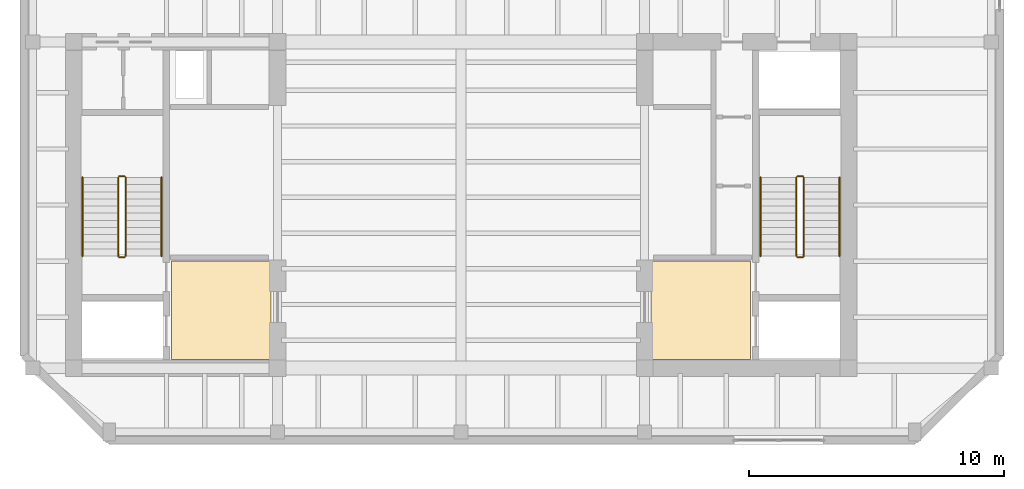
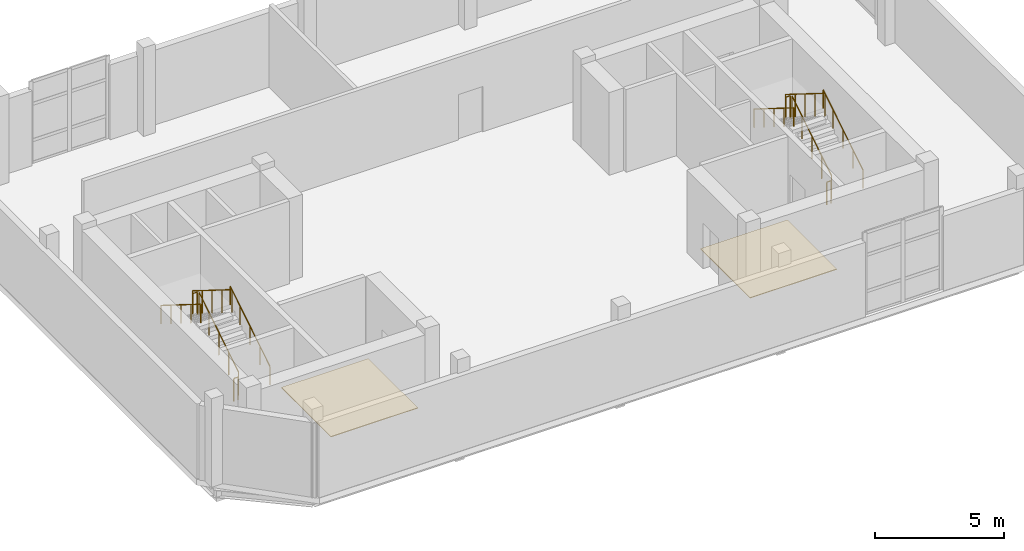
# One storey, part 7 of 7: 12 railings, 2 coverings.
"""IFC4 building model written with IfcOpenShell, lengths in metres."""

import ifcopenshell
import ifcopenshell.guid

model = None  # the IFC model being written
_history = None  # IfcOwnerHistory: only IFC2X3 demands one
_inside = {}  # id of a spatial element -> (the spatial element, [elements in it])
_under = {}  # id of a project, library or spatial element -> (it, [spatial elements below it])
_declared = {}  # id of a project -> (the project, [libraries it declares])
_typed = {}  # id of a type object -> (the type object, [elements of that type])
_made_of = {}  # id of a material, layer set ... -> (it, [elements and type objects made of it])


def new_model(schema):
    """Start an empty IFC model of exactly this schema.

    Asked for "IFC4X3", IfcOpenShell would pick the latest addendum, in which some entities
    have other attributes; the version numbers below select the first issue.
    IFC2X3 requires an IfcOwnerHistory on every rooted entity: one is made here for all.
    """
    global model, _history
    if schema == "IFC4X3":
        model = ifcopenshell.file(schema_version=(4, 3, 0, 0))
    else:
        model = ifcopenshell.file(schema=schema)
    _inside.clear()
    _under.clear()
    _declared.clear()
    _typed.clear()
    _made_of.clear()
    _history = None
    if model.schema == "IFC2X3":
        org = make("IfcOrganization", Name="unknown")
        user = make(
            "IfcPersonAndOrganization",
            ThePerson=make("IfcPerson", FamilyName="unknown"),
            TheOrganization=org,
        )
        app = make(
            "IfcApplication",
            ApplicationDeveloper=org,
            Version="unknown",
            ApplicationFullName="unknown",
            ApplicationIdentifier="unknown",
        )
        _history = make(
            "IfcOwnerHistory",
            OwningUser=user,
            OwningApplication=app,
            ChangeAction="ADDED",
            CreationDate=0,
        )
    return model


def make(cls, **values):
    """One entity of the class cls with the attributes given. An attribute that is None is left unset."""
    return model.create_entity(
        cls, **{name: value for name, value in values.items() if value is not None}
    )


def rooted(cls, **values):
    """An entity with a GlobalId (a new one), such as an element, a storey or a relation."""
    return make(cls, GlobalId=ifcopenshell.guid.new(), OwnerHistory=_history, **values)


def si_unit(unit_type, name, prefix=None):
    """IfcSIUnit, for example si_unit("LENGTHUNIT", "METRE", prefix="MILLI")."""
    return make("IfcSIUnit", UnitType=unit_type, Prefix=prefix, Name=name)


def assignment(units):
    """IfcUnitAssignment: the units of a project."""
    return None if units is None else make("IfcUnitAssignment", Units=units)


def point(xyz):
    """IfcCartesianPoint."""
    return None if xyz is None else make("IfcCartesianPoint", Coordinates=xyz)


def direction(xyz):
    """IfcDirection."""
    return None if xyz is None else make("IfcDirection", DirectionRatios=xyz)


def frame(location, z_axis=None, x_axis=None):
    """IfcAxis2Placement3D, a coordinate frame: its origin and axes. An axis left out is left unset."""
    return make(
        "IfcAxis2Placement3D",
        Location=point(location),
        Axis=direction(z_axis),
        RefDirection=direction(x_axis),
    )


def frame_2d(location, x_axis=None):
    """IfcAxis2Placement2D, a coordinate frame in the plane: its origin and x axis."""
    return make(
        "IfcAxis2Placement2D", Location=point(location), RefDirection=direction(x_axis)
    )


def origin():
    """The frame at (0, 0, 0) with its axes left unset."""
    return frame((0.0, 0.0, 0.0))


def origin_2d():
    """The frame at (0, 0) in the plane with its x axis left unset."""
    return frame_2d((0.0, 0.0))


def place(relative_to, where):
    """IfcLocalPlacement: puts the frame where relative to a parent placement (None: the world)."""
    return make(
        "IfcLocalPlacement", PlacementRelTo=relative_to, RelativePlacement=where
    )


def context(
    kind, dimensions, precision=None, world=None, true_north=None, identifier=None
):
    """IfcGeometricRepresentationContext, for example the 3D "Model" context."""
    return make(
        "IfcGeometricRepresentationContext",
        ContextIdentifier=identifier,
        ContextType=kind,
        CoordinateSpaceDimension=dimensions,
        Precision=precision,
        WorldCoordinateSystem=world,
        TrueNorth=true_north,
    )


def subcontext(parent, identifier, kind, view, scale=None):
    """IfcGeometricRepresentationSubContext, for example "Body" below "Model"."""
    return make(
        "IfcGeometricRepresentationSubContext",
        ContextIdentifier=identifier,
        ContextType=kind,
        ParentContext=parent,
        TargetScale=scale,
        TargetView=view,
    )


def project(units=None, contexts=None):
    """IfcProject with its units and contexts."""
    return rooted(
        "IfcProject",
        Name="project",
        RepresentationContexts=contexts,
        UnitsInContext=assignment(units),
    )


def spatial(cls, under=None, at=None, **own):
    """A site, building, storey or space (cls), placed at a placement, below another one or the project."""
    s = rooted(cls, ObjectPlacement=at, **own)
    if under is not None:
        _under.setdefault(under.id(), (under, []))[1].append(s)
    return s


def polyline(points):
    """IfcPolyline through the points."""
    return make("IfcPolyline", Points=[point(p) for p in points])


def profile(cls, at=None, kind="AREA", **sizes):
    """A parametric profile (cls). Its sizes go by their IFC names, for example OverallWidth=200.0."""
    return make(cls, ProfileType=kind, Position=at, **sizes)


def circle(**sizes):
    """IfcCircleProfileDef."""
    return profile("IfcCircleProfileDef", **sizes)


def outline(outer, holes=None, kind="AREA"):
    """IfcArbitraryClosedProfileDef: a profile drawn as a closed curve; with holes, ...WithVoids."""
    if holes is None:
        return make("IfcArbitraryClosedProfileDef", ProfileType=kind, OuterCurve=outer)
    return make(
        "IfcArbitraryProfileDefWithVoids",
        ProfileType=kind,
        OuterCurve=outer,
        InnerCurves=holes,
    )


def extrude(swept, where, along, depth):
    """IfcExtrudedAreaSolid: the profile swept, set in the frame where, extruded along a direction by depth."""
    return make(
        "IfcExtrudedAreaSolid",
        SweptArea=swept,
        Position=where,
        ExtrudedDirection=direction(along),
        Depth=depth,
    )


def shape(context_of_items, identifier, shape_type, items):
    """IfcShapeRepresentation: the items that make up one representation, for example the "Body"."""
    return make(
        "IfcShapeRepresentation",
        ContextOfItems=context_of_items,
        RepresentationIdentifier=identifier,
        RepresentationType=shape_type,
        Items=items,
    )


def material(Name=None, Category=None):
    """IfcMaterial."""
    return make("IfcMaterial", Name=Name, Category=Category)


def layer(
    of_material, thickness, ventilated=None, Name=None, Category=None, Priority=None
):
    """IfcMaterialLayer: one layer of a wall or slab, of a material (None: an air gap)."""
    return make(
        "IfcMaterialLayer",
        Material=of_material,
        LayerThickness=thickness,
        IsVentilated=ventilated,
        Name=Name,
        Category=Category,
        Priority=Priority,
    )


def layer_set(layers, Name=None):
    """IfcMaterialLayerSet."""
    return make("IfcMaterialLayerSet", MaterialLayers=layers, LayerSetName=Name)


def made_of(thing, what):
    """Note that an element or type object is made of a material, layer set ...; save() writes the relation."""
    if what is not None:
        _made_of.setdefault(what.id(), (what, []))[1].append(thing)
    return thing


def type_object(cls, material=None, **own):
    """A type object (cls), such as IfcWallType, which elements share."""
    return made_of(rooted(cls, **own), material)


def element(
    cls,
    number,
    at=None,
    inside=None,
    cuts=None,
    type_object=None,
    material=None,
    context=None,
    identifier="Body",
    shape_type=None,
    held_by="IfcProductDefinitionShape",
    body=None,
    shapes=None,
    **own,
):
    """One element of the class cls, such as IfcWall. Its Tag is "e" and its number.

    at: its placement. inside: the storey or other place that contains it. cuts: it is an
    opening in that element (IfcRelVoidsElement). A single representation is given by context,
    identifier, shape_type and body (its items); several are given by shapes. held_by: the class
    of the entity that holds the representations. save() writes the other relations.
    """
    e = rooted(cls, Tag="e%d" % number, ObjectPlacement=at, **own)
    if body is not None:
        shapes = [shape(context, identifier, shape_type, body)]
    if shapes is not None:
        e.Representation = make(held_by, Representations=shapes)
    if inside is not None:
        _inside.setdefault(inside.id(), (inside, []))[1].append(e)
    if cuts is not None:
        rooted(
            "IfcRelVoidsElement", RelatingBuildingElement=cuts, RelatedOpeningElement=e
        )
    if type_object is not None:
        _typed.setdefault(type_object.id(), (type_object, []))[1].append(e)
    return made_of(e, material)


def aggregate(whole, parts):
    """IfcRelAggregates: a whole, such as a stair, and the parts it consists of."""
    return rooted("IfcRelAggregates", RelatingObject=whole, RelatedObjects=parts)


def save(model, path):
    """Write the relations noted so far, then the file.

    IfcRelAggregates (storeys below a building ...), IfcRelContainedInSpatialStructure (elements
    in a storey), IfcRelDefinesByType, IfcRelAssociatesMaterial and IfcRelDeclares: one each for
    every whole, place, type object, material and project.
    """
    for whole, parts in _under.values():
        aggregate(whole, parts)
    for where, things in _inside.values():
        rooted(
            "IfcRelContainedInSpatialStructure",
            RelatedElements=things,
            RelatingStructure=where,
        )
    for kind, things in _typed.values():
        rooted("IfcRelDefinesByType", RelatedObjects=things, RelatingType=kind)
    for what, things in _made_of.values():
        rooted("IfcRelAssociatesMaterial", RelatedObjects=things, RelatingMaterial=what)
    for by, libraries in _declared.values():
        rooted("IfcRelDeclares", RelatingContext=by, RelatedDefinitions=libraries)
    model.write(path)


model = new_model("IFC4")

# Units and contexts
model_context = context("Model", 3, precision=1e-05, world=origin(), true_north=direction((0.0, 1.0)))
body_context = subcontext(model_context, "Body", "Model", "MODEL_VIEW")
ifc_project = project(units=[si_unit("LENGTHUNIT", "METRE"), si_unit("AREAUNIT", "SQUARE_METRE"), si_unit("VOLUMEUNIT", "CUBIC_METRE"), si_unit("PLANEANGLEUNIT", "RADIAN"), si_unit("MASSUNIT", "GRAM", prefix="KILO")], contexts=[model_context])

# Site, building, storey
site_placement = place(None, origin())
site = spatial("IfcSite", under=ifc_project, at=site_placement, CompositionType="ELEMENT")
building_placement = place(site_placement, origin())
building = spatial("IfcBuilding", under=site, at=building_placement, Name="Kranthara Brick Stack", CompositionType="ELEMENT")
storey_placement = place(building_placement, frame((0.0, 0.0, 296.39990234375)))
storey = spatial("IfcBuildingStorey", under=building, at=storey_placement, Name="L78", CompositionType="ELEMENT", Elevation=296.39990234375)

# Coverings
ifc_material_1 = material(Name="Honed terrazzo and porcelain floor finish", Category="stone")
ifc_layer = layer(ifc_material_1, 0.030029296875)
ifc_layer_set = layer_set([ifc_layer], Name="Honed terrazzo and porcelain floor finish")
covering_type = type_object("IfcCoveringType", Name="COV-FLOR-STONE", PredefinedType="FLOORING", material=ifc_layer_set)
covering_1_placement = place(storey_placement, origin())
element("IfcCovering", 1, at=covering_1_placement, inside=storey, type_object=covering_type, Name="L78 Lift Lobby Stone Flooring", PredefinedType="FLOORING", context=body_context, shape_type="SweptSolid", body=[
    extrude(outline(polyline([(20.550048828125, 21.14990234375), (20.550048828125, 25.0), (16.64990234375, 25.0), (16.64990234375, 21.14990234375), (20.550048828125, 21.14990234375)])), origin(), (0.0, 0.0, 1.0), 0.030029296875),
])
covering_2_placement = place(storey_placement, origin())
element("IfcCovering", 2, at=covering_2_placement, inside=storey, type_object=covering_type, Name="L78 Lift Lobby Stone Flooring", PredefinedType="FLOORING", context=body_context, shape_type="SweptSolid", body=[
    extrude(outline(polyline([(39.35009765625, 21.14990234375), (39.35009765625, 25.0), (35.449951171875, 25.0), (35.449951171875, 21.14990234375), (39.35009765625, 21.14990234375)])), origin(), (0.0, 0.0, 1.0), 0.030029296875),
])

# Railings
ifc_material_2 = material(Name="Painted galvanized steel stair guardrail", Category="steel")
railing_type_1 = type_object("IfcRailingType", Name="RL-STAIR-GUARD-1100", PredefinedType="GUARDRAIL", material=ifc_material_2)
railing_1_placement = place(storey_placement, frame((14.85009765625, 25.199951171875, 0.175048828125)))
element("IfcRailing", 3, at=railing_1_placement, inside=storey, type_object=railing_type_1, Name="L78 ST01 stair guard 1", PredefinedType="GUARDRAIL", context=body_context, shape_type="SweptSolid", body=[
    extrude(circle(Radius=0.02392578125, at=origin_2d()), frame((0.0, 0.0, 1.076171875), z_axis=(0.0, 0.847998304005, 0.529998940003), x_axis=(-1.0, 0.0, 0.0)), (0.0, 0.0, 1.0), 3.632080078125),
    extrude(circle(Radius=0.02099609375, at=origin_2d()), origin(), (0.0, 0.0, 1.0), 1.052001953125),
    extrude(circle(Radius=0.02099609375, at=origin_2d()), frame((0.0, 0.77001953125, 0.481201171875)), (0.0, 0.0, 1.0), 1.052001953125),
    extrude(circle(Radius=0.02099609375, at=origin_2d()), frame((0.0, 1.5400390625, 0.96240234375)), (0.0, 0.0, 1.0), 1.052001953125),
    extrude(circle(Radius=0.02099609375, at=origin_2d()), frame((0.0, 2.31005859375, 1.44384765625)), (0.0, 0.0, 1.0), 1.052001953125),
    extrude(circle(Radius=0.02099609375, at=origin_2d()), frame((0.0, 3.080078125, 1.925048828125)), (0.0, 0.0, 1.0), 1.052001953125),
])
railing_2_placement = place(storey_placement, frame((14.800048828125, 28.330078125, 2.10009765625)))
element("IfcRailing", 4, at=railing_2_placement, inside=storey, type_object=railing_type_1, Name="L78 ST01 stair guard 2", PredefinedType="GUARDRAIL", context=body_context, shape_type="SweptSolid", body=[
    extrude(circle(Radius=0.02392578125, at=origin_2d()), frame((0.0, 0.0, 1.076171875), z_axis=(-1.0, 0.0, 0.0), x_axis=(0.0, -1.0, 0.0)), (0.0, 0.0, 1.0), 0.199951171875),
    extrude(circle(Radius=0.02099609375, at=origin_2d()), origin(), (0.0, 0.0, 1.0), 1.052001953125),
    extrude(circle(Radius=0.02099609375, at=origin_2d()), frame((-0.199951171875, 0.0, 0.0)), (0.0, 0.0, 1.0), 1.052001953125),
])
railing_3_placement = place(storey_placement, frame((14.550048828125, 28.280029296875, 2.275146484375)))
element("IfcRailing", 5, at=railing_3_placement, inside=storey, type_object=railing_type_1, Name="L78 ST01 stair guard 3", PredefinedType="GUARDRAIL", context=body_context, shape_type="SweptSolid", body=[
    extrude(circle(Radius=0.02392578125, at=origin_2d()), frame((0.0, 0.0, 1.076171875), z_axis=(0.0, -0.847998304005, 0.529998940003), x_axis=(1.0, 0.0, 0.0)), (0.0, 0.0, 1.0), 3.632080078125),
    extrude(circle(Radius=0.02099609375, at=origin_2d()), origin(), (0.0, 0.0, 1.0), 1.052001953125),
    extrude(circle(Radius=0.02099609375, at=origin_2d()), frame((0.0, -0.77001953125, 0.481201171875)), (0.0, 0.0, 1.0), 1.052001953125),
    extrude(circle(Radius=0.02099609375, at=origin_2d()), frame((0.0, -1.5400390625, 0.96240234375)), (0.0, 0.0, 1.0), 1.052001953125),
    extrude(circle(Radius=0.02099609375, at=origin_2d()), frame((0.0, -2.31005859375, 1.44384765625)), (0.0, 0.0, 1.0), 1.052001953125),
    extrude(circle(Radius=0.02099609375, at=origin_2d()), frame((0.0, -3.080078125, 1.925048828125)), (0.0, 0.0, 1.0), 1.052001953125),
])
railing_4_placement = place(storey_placement, frame((14.800048828125, 25.14990234375, 0.0)))
element("IfcRailing", 6, at=railing_4_placement, inside=storey, type_object=railing_type_1, Name="L78 ST01 stair guard 4", PredefinedType="GUARDRAIL", context=body_context, shape_type="SweptSolid", body=[
    extrude(circle(Radius=0.02392578125, at=origin_2d()), frame((0.0, 0.0, 1.076171875), z_axis=(-1.0, 0.0, 0.0), x_axis=(0.0, -1.0, 0.0)), (0.0, 0.0, 1.0), 0.199951171875),
    extrude(circle(Radius=0.02099609375, at=origin_2d()), origin(), (0.0, 0.0, 1.0), 1.052001953125),
    extrude(circle(Radius=0.02099609375, at=origin_2d()), frame((-0.199951171875, 0.0, 0.0)), (0.0, 0.0, 1.0), 1.052001953125),
])
railing_5_placement = place(storey_placement, frame((41.449951171875, 25.199951171875, 0.175048828125)))
element("IfcRailing", 7, at=railing_5_placement, inside=storey, type_object=railing_type_1, Name="L78 ST02 stair guard 1", PredefinedType="GUARDRAIL", context=body_context, shape_type="SweptSolid", body=[
    extrude(circle(Radius=0.02392578125, at=origin_2d()), frame((0.0, 0.0, 1.076171875), z_axis=(0.0, 0.847998304005, 0.529998940003), x_axis=(-1.0, 0.0, 0.0)), (0.0, 0.0, 1.0), 3.632080078125),
    extrude(circle(Radius=0.02099609375, at=origin_2d()), origin(), (0.0, 0.0, 1.0), 1.052001953125),
    extrude(circle(Radius=0.02099609375, at=origin_2d()), frame((0.0, 0.77001953125, 0.481201171875)), (0.0, 0.0, 1.0), 1.052001953125),
    extrude(circle(Radius=0.02099609375, at=origin_2d()), frame((0.0, 1.5400390625, 0.96240234375)), (0.0, 0.0, 1.0), 1.052001953125),
    extrude(circle(Radius=0.02099609375, at=origin_2d()), frame((0.0, 2.31005859375, 1.44384765625)), (0.0, 0.0, 1.0), 1.052001953125),
    extrude(circle(Radius=0.02099609375, at=origin_2d()), frame((0.0, 3.080078125, 1.925048828125)), (0.0, 0.0, 1.0), 1.052001953125),
])
railing_6_placement = place(storey_placement, frame((41.39990234375, 28.330078125, 2.10009765625)))
element("IfcRailing", 8, at=railing_6_placement, inside=storey, type_object=railing_type_1, Name="L78 ST02 stair guard 2", PredefinedType="GUARDRAIL", context=body_context, shape_type="SweptSolid", body=[
    extrude(circle(Radius=0.02392578125, at=origin_2d()), frame((0.0, 0.0, 1.076171875), z_axis=(-1.0, 0.0, 0.0), x_axis=(0.0, -1.0, 0.0)), (0.0, 0.0, 1.0), 0.199951171875),
    extrude(circle(Radius=0.02099609375, at=origin_2d()), origin(), (0.0, 0.0, 1.0), 1.052001953125),
    extrude(circle(Radius=0.02099609375, at=origin_2d()), frame((-0.199951171875, 0.0, 0.0)), (0.0, 0.0, 1.0), 1.052001953125),
])
railing_7_placement = place(storey_placement, frame((41.14990234375, 28.280029296875, 2.275146484375)))
element("IfcRailing", 9, at=railing_7_placement, inside=storey, type_object=railing_type_1, Name="L78 ST02 stair guard 3", PredefinedType="GUARDRAIL", context=body_context, shape_type="SweptSolid", body=[
    extrude(circle(Radius=0.02392578125, at=origin_2d()), frame((0.0, 0.0, 1.076171875), z_axis=(0.0, -0.847998304005, 0.529998940003), x_axis=(1.0, 0.0, 0.0)), (0.0, 0.0, 1.0), 3.632080078125),
    extrude(circle(Radius=0.02099609375, at=origin_2d()), origin(), (0.0, 0.0, 1.0), 1.052001953125),
    extrude(circle(Radius=0.02099609375, at=origin_2d()), frame((0.0, -0.77001953125, 0.481201171875)), (0.0, 0.0, 1.0), 1.052001953125),
    extrude(circle(Radius=0.02099609375, at=origin_2d()), frame((0.0, -1.5400390625, 0.96240234375)), (0.0, 0.0, 1.0), 1.052001953125),
    extrude(circle(Radius=0.02099609375, at=origin_2d()), frame((0.0, -2.31005859375, 1.44384765625)), (0.0, 0.0, 1.0), 1.052001953125),
    extrude(circle(Radius=0.02099609375, at=origin_2d()), frame((0.0, -3.080078125, 1.925048828125)), (0.0, 0.0, 1.0), 1.052001953125),
])
railing_8_placement = place(storey_placement, frame((41.39990234375, 25.14990234375, 0.0)))
element("IfcRailing", 10, at=railing_8_placement, inside=storey, type_object=railing_type_1, Name="L78 ST02 stair guard 4", PredefinedType="GUARDRAIL", context=body_context, shape_type="SweptSolid", body=[
    extrude(circle(Radius=0.02392578125, at=origin_2d()), frame((0.0, 0.0, 1.076171875), z_axis=(-1.0, 0.0, 0.0), x_axis=(0.0, -1.0, 0.0)), (0.0, 0.0, 1.0), 0.199951171875),
    extrude(circle(Radius=0.02099609375, at=origin_2d()), origin(), (0.0, 0.0, 1.0), 1.052001953125),
    extrude(circle(Radius=0.02099609375, at=origin_2d()), frame((-0.199951171875, 0.0, 0.0)), (0.0, 0.0, 1.0), 1.052001953125),
])
ifc_material_3 = material(Name="Brushed stainless steel tubular handrail", Category="steel")
railing_type_2 = type_object("IfcRailingType", Name="RL-STAIR-HAND-900", PredefinedType="HANDRAIL", material=ifc_material_3)
railing_9_placement = place(storey_placement, frame((16.25, 25.199951171875, 0.175048828125)))
element("IfcRailing", 11, at=railing_9_placement, inside=storey, type_object=railing_type_2, Name="L78 ST01 stair handrail 1", PredefinedType="HANDRAIL", context=body_context, shape_type="SweptSolid", body=[
    extrude(circle(Radius=0.02392578125, at=origin_2d()), frame((0.0, 0.0, 0.8759765625), z_axis=(0.0, 0.847998304005, 0.529998940003), x_axis=(-1.0, 0.0, 0.0)), (0.0, 0.0, 1.0), 3.632080078125),
    extrude(circle(Radius=0.02099609375, at=origin_2d()), origin(), (0.0, 0.0, 1.0), 0.851806640625),
    extrude(circle(Radius=0.02099609375, at=origin_2d()), frame((0.0, 0.77001953125, 0.481201171875)), (0.0, 0.0, 1.0), 0.851806640625),
    extrude(circle(Radius=0.02099609375, at=origin_2d()), frame((0.0, 1.5400390625, 0.96240234375)), (0.0, 0.0, 1.0), 0.851806640625),
    extrude(circle(Radius=0.02099609375, at=origin_2d()), frame((0.0, 2.31005859375, 1.44384765625)), (0.0, 0.0, 1.0), 0.851806640625),
    extrude(circle(Radius=0.02099609375, at=origin_2d()), frame((0.0, 3.080078125, 1.925048828125)), (0.0, 0.0, 1.0), 0.851806640625),
])
railing_10_placement = place(storey_placement, frame((13.14990234375, 28.280029296875, 2.275146484375)))
element("IfcRailing", 12, at=railing_10_placement, inside=storey, type_object=railing_type_2, Name="L78 ST01 stair handrail 2", PredefinedType="HANDRAIL", context=body_context, shape_type="SweptSolid", body=[
    extrude(circle(Radius=0.02392578125, at=origin_2d()), frame((0.0, 0.0, 0.8759765625), z_axis=(0.0, -0.847998304005, 0.529998940003), x_axis=(1.0, 0.0, 0.0)), (0.0, 0.0, 1.0), 3.632080078125),
    extrude(circle(Radius=0.02099609375, at=origin_2d()), origin(), (0.0, 0.0, 1.0), 0.851806640625),
    extrude(circle(Radius=0.02099609375, at=origin_2d()), frame((0.0, -0.77001953125, 0.481201171875)), (0.0, 0.0, 1.0), 0.851806640625),
    extrude(circle(Radius=0.02099609375, at=origin_2d()), frame((0.0, -1.5400390625, 0.96240234375)), (0.0, 0.0, 1.0), 0.851806640625),
    extrude(circle(Radius=0.02099609375, at=origin_2d()), frame((0.0, -2.31005859375, 1.44384765625)), (0.0, 0.0, 1.0), 0.851806640625),
    extrude(circle(Radius=0.02099609375, at=origin_2d()), frame((0.0, -3.080078125, 1.925048828125)), (0.0, 0.0, 1.0), 0.851806640625),
])
railing_11_placement = place(storey_placement, frame((42.85009765625, 25.199951171875, 0.175048828125)))
element("IfcRailing", 13, at=railing_11_placement, inside=storey, type_object=railing_type_2, Name="L78 ST02 stair handrail 1", PredefinedType="HANDRAIL", context=body_context, shape_type="SweptSolid", body=[
    extrude(circle(Radius=0.02392578125, at=origin_2d()), frame((0.0, 0.0, 0.8759765625), z_axis=(0.0, 0.847998304005, 0.529998940003), x_axis=(-1.0, 0.0, 0.0)), (0.0, 0.0, 1.0), 3.632080078125),
    extrude(circle(Radius=0.02099609375, at=origin_2d()), origin(), (0.0, 0.0, 1.0), 0.851806640625),
    extrude(circle(Radius=0.02099609375, at=origin_2d()), frame((0.0, 0.77001953125, 0.481201171875)), (0.0, 0.0, 1.0), 0.851806640625),
    extrude(circle(Radius=0.02099609375, at=origin_2d()), frame((0.0, 1.5400390625, 0.96240234375)), (0.0, 0.0, 1.0), 0.851806640625),
    extrude(circle(Radius=0.02099609375, at=origin_2d()), frame((0.0, 2.31005859375, 1.44384765625)), (0.0, 0.0, 1.0), 0.851806640625),
    extrude(circle(Radius=0.02099609375, at=origin_2d()), frame((0.0, 3.080078125, 1.925048828125)), (0.0, 0.0, 1.0), 0.851806640625),
])
railing_12_placement = place(storey_placement, frame((39.75, 28.280029296875, 2.275146484375)))
element("IfcRailing", 14, at=railing_12_placement, inside=storey, type_object=railing_type_2, Name="L78 ST02 stair handrail 2", PredefinedType="HANDRAIL", context=body_context, shape_type="SweptSolid", body=[
    extrude(circle(Radius=0.02392578125, at=origin_2d()), frame((0.0, 0.0, 0.8759765625), z_axis=(0.0, -0.847998304005, 0.529998940003), x_axis=(1.0, 0.0, 0.0)), (0.0, 0.0, 1.0), 3.632080078125),
    extrude(circle(Radius=0.02099609375, at=origin_2d()), origin(), (0.0, 0.0, 1.0), 0.851806640625),
    extrude(circle(Radius=0.02099609375, at=origin_2d()), frame((0.0, -0.77001953125, 0.481201171875)), (0.0, 0.0, 1.0), 0.851806640625),
    extrude(circle(Radius=0.02099609375, at=origin_2d()), frame((0.0, -1.5400390625, 0.96240234375)), (0.0, 0.0, 1.0), 0.851806640625),
    extrude(circle(Radius=0.02099609375, at=origin_2d()), frame((0.0, -2.31005859375, 1.44384765625)), (0.0, 0.0, 1.0), 0.851806640625),
    extrude(circle(Radius=0.02099609375, at=origin_2d()), frame((0.0, -3.080078125, 1.925048828125)), (0.0, 0.0, 1.0), 0.851806640625),
])

save(model, "model.ifc")
